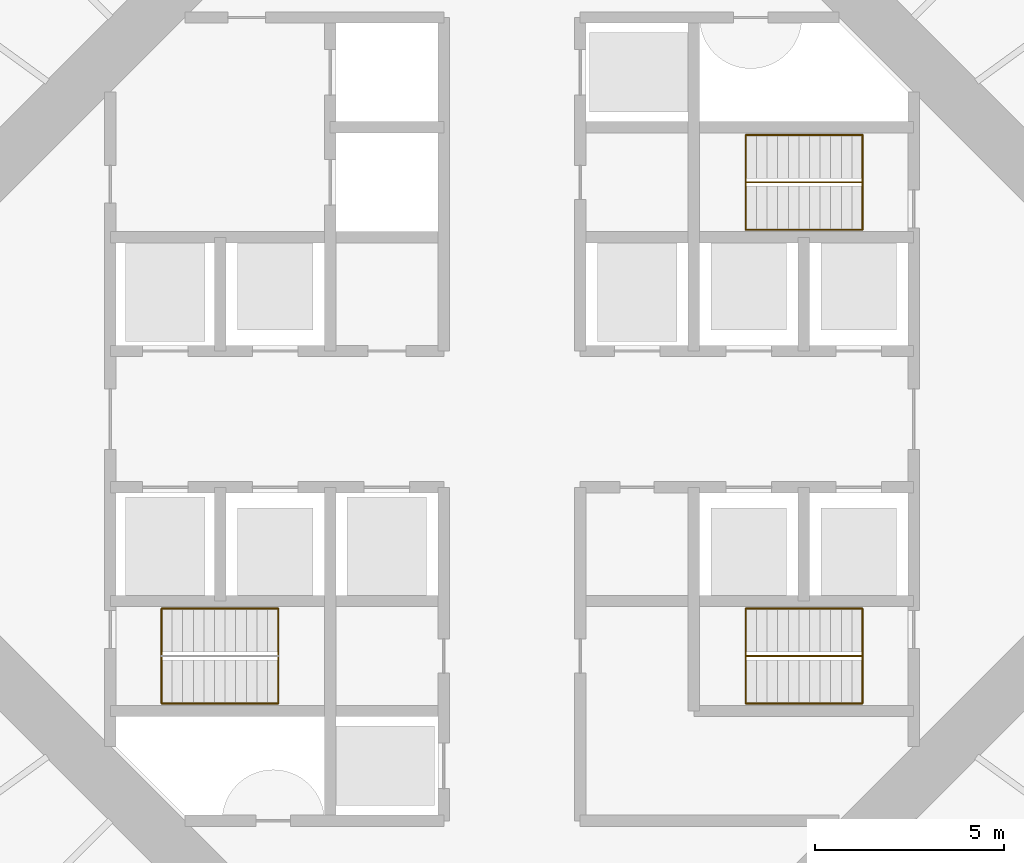
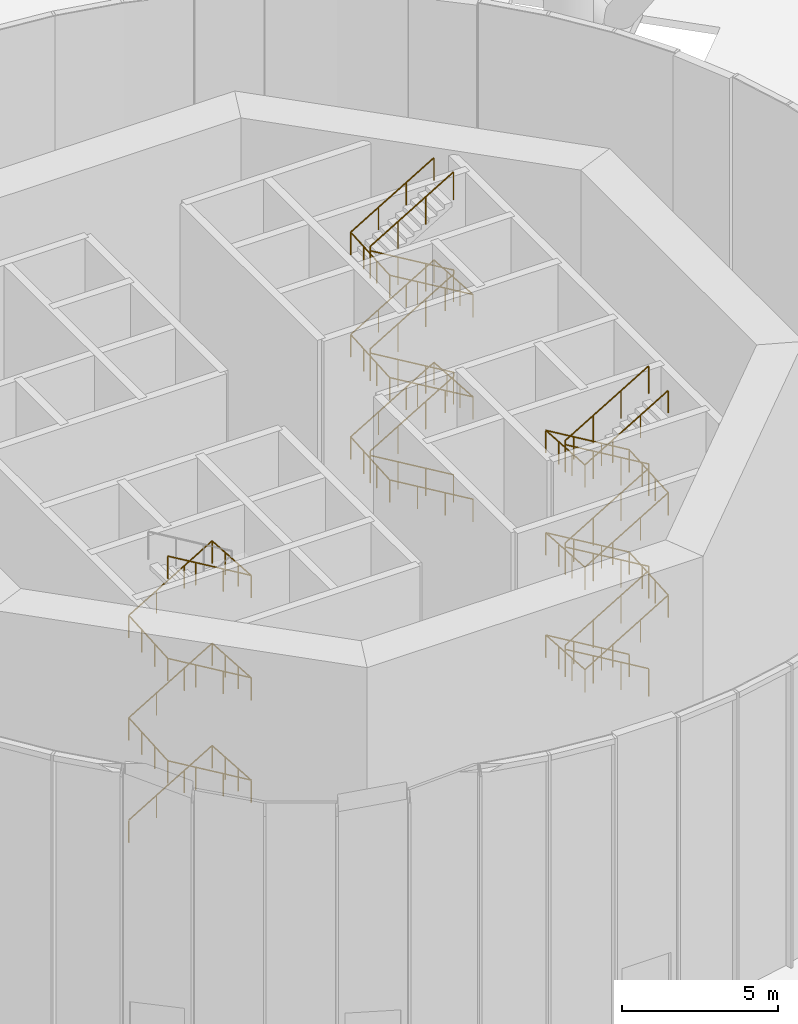
# One storey, part 11 of 12: 5 railings.
"""IFC4 building model written with IfcOpenShell, lengths in metres."""

from ifc_helpers import new_model, si_unit, direction, frame, origin, origin_2d, place, context, subcontext, project, spatial, circle, extrude, material, type_object, element, save


model = new_model("IFC4")

# Units and contexts
model_context = context("Model", 3, precision=1e-05, world=origin(), true_north=direction((0.0, 1.0)))
body_context = subcontext(model_context, "Body", "Model", "MODEL_VIEW")
ifc_project = project(units=[si_unit("LENGTHUNIT", "METRE"), si_unit("AREAUNIT", "SQUARE_METRE"), si_unit("VOLUMEUNIT", "CUBIC_METRE"), si_unit("PLANEANGLEUNIT", "RADIAN"), si_unit("MASSUNIT", "GRAM", prefix="KILO")], contexts=[model_context])

# Site, building, storey
site_placement = place(None, origin())
site = spatial("IfcSite", under=ifc_project, at=site_placement, CompositionType="ELEMENT")
building_placement = place(site_placement, origin())
building = spatial("IfcBuilding", under=site, at=building_placement, Name="Entoto Ring Tower", CompositionType="ELEMENT")
storey_placement = place(building_placement, origin())
storey = spatial("IfcBuildingStorey", under=building, at=storey_placement, Name="L00", CompositionType="ELEMENT", Elevation=0.0)

# Railings
ifc_material_1 = material(Name="Steel S275", Category="steel")
railing_type_1 = type_object("IfcRailingType", Name="Stair guard 1100 mm steel", PredefinedType="GUARDRAIL", material=ifc_material_1)
railing_1_placement = place(storey_placement, frame((99.25, 86.25, 0.166748046875)))
element("IfcRailing", 1, at=railing_1_placement, inside=storey, type_object=railing_type_1, Name="Guard ST1", PredefinedType="GUARDRAIL", context=body_context, shape_type="SweptSolid", body=[
    extrude(circle(Radius=0.02392578125, at=origin_2d()), frame((0.0, 0.0, 1.076171875), z_axis=(-0.859308565015, 0.0, 0.511457515432), x_axis=(0.0, -1.0, 0.0)), (0.0, 0.0, 1.0), 3.58447265625),
    extrude(circle(Radius=0.02392578125, at=origin_2d()), frame((-3.080078125, 0.0, 2.9091796875), z_axis=(0.0, 0.0, 1.0), x_axis=(1.0, 0.0, 0.0)), (0.0, 0.0, 1.0), 0.166748046875),
    extrude(circle(Radius=0.02392578125, at=origin_2d()), frame((-3.080078125, 0.0, 3.076171875), z_axis=(0.859308565015, 0.0, 0.511457515432), x_axis=(0.0, 1.0, 0.0)), (0.0, 0.0, 1.0), 3.58447265625),
    extrude(circle(Radius=0.02392578125, at=origin_2d()), frame((0.0, 0.0, 4.9091796875), z_axis=(0.0, 0.0, 1.0), x_axis=(1.0, 0.0, 0.0)), (0.0, 0.0, 1.0), 0.166748046875),
    extrude(circle(Radius=0.02392578125, at=origin_2d()), frame((0.0, 0.0, 5.076171875), z_axis=(-0.859308565015, 0.0, 0.511457515432), x_axis=(0.0, -1.0, 0.0)), (0.0, 0.0, 1.0), 3.58447265625),
    extrude(circle(Radius=0.02392578125, at=origin_2d()), frame((-3.080078125, 0.0, 6.9091796875), z_axis=(0.0, 0.0, 1.0), x_axis=(1.0, 0.0, 0.0)), (0.0, 0.0, 1.0), 0.166748046875),
    extrude(circle(Radius=0.02392578125, at=origin_2d()), frame((-3.080078125, 0.0, 7.076171875), z_axis=(0.859308565015, 0.0, 0.511457515432), x_axis=(0.0, 1.0, 0.0)), (0.0, 0.0, 1.0), 3.58447265625),
    extrude(circle(Radius=0.02392578125, at=origin_2d()), frame((0.0, 0.0, 8.9091796875), z_axis=(0.0, 0.0, 1.0), x_axis=(1.0, 0.0, 0.0)), (0.0, 0.0, 1.0), 0.166748046875),
    extrude(circle(Radius=0.02392578125, at=origin_2d()), frame((0.0, 0.0, 9.076171875), z_axis=(-0.859308565015, 0.0, 0.511457515432), x_axis=(0.0, -1.0, 0.0)), (0.0, 0.0, 1.0), 3.58447265625),
    extrude(circle(Radius=0.02392578125, at=origin_2d()), frame((-3.080078125, 0.0, 10.9091796875), z_axis=(0.0, 0.0, 1.0), x_axis=(1.0, 0.0, 0.0)), (0.0, 0.0, 1.0), 0.166748046875),
    extrude(circle(Radius=0.02392578125, at=origin_2d()), frame((-3.080078125, 0.0, 11.076171875), z_axis=(0.859308565015, 0.0, 0.511457515432), x_axis=(0.0, 1.0, 0.0)), (0.0, 0.0, 1.0), 3.58447265625),
    extrude(circle(Radius=0.02099609375, at=origin_2d()), origin(), (0.0, 0.0, 1.0), 1.052001953125),
    extrude(circle(Radius=0.02099609375, at=origin_2d()), frame((-1.026611328125, 0.0, 0.611083984375)), (0.0, 0.0, 1.0), 1.052001953125),
    extrude(circle(Radius=0.02099609375, at=origin_2d()), frame((-2.053466796875, 0.0, 1.22216796875)), (0.0, 0.0, 1.0), 1.052001953125),
    extrude(circle(Radius=0.02099609375, at=origin_2d()), frame((-3.080078125, 0.0, 1.833251953125)), (0.0, 0.0, 1.0), 1.052001953125),
    extrude(circle(Radius=0.02099609375, at=origin_2d()), frame((-3.080078125, 0.0, 2.0)), (0.0, 0.0, 1.0), 1.052001953125),
    extrude(circle(Radius=0.02099609375, at=origin_2d()), frame((-2.053466796875, 0.0, 2.611083984375)), (0.0, 0.0, 1.0), 1.052001953125),
    extrude(circle(Radius=0.02099609375, at=origin_2d()), frame((-1.026611328125, 0.0, 3.22216796875)), (0.0, 0.0, 1.0), 1.052001953125),
    extrude(circle(Radius=0.02099609375, at=origin_2d()), frame((0.0, 0.0, 3.833251953125)), (0.0, 0.0, 1.0), 1.052001953125),
    extrude(circle(Radius=0.02099609375, at=origin_2d()), frame((0.0, 0.0, 4.0)), (0.0, 0.0, 1.0), 1.052001953125),
    extrude(circle(Radius=0.02099609375, at=origin_2d()), frame((-1.026611328125, 0.0, 4.611083984375)), (0.0, 0.0, 1.0), 1.052001953125),
    extrude(circle(Radius=0.02099609375, at=origin_2d()), frame((-2.053466796875, 0.0, 5.22216796875)), (0.0, 0.0, 1.0), 1.052001953125),
    extrude(circle(Radius=0.02099609375, at=origin_2d()), frame((-3.080078125, 0.0, 5.833251953125)), (0.0, 0.0, 1.0), 1.052001953125),
    extrude(circle(Radius=0.02099609375, at=origin_2d()), frame((-3.080078125, 0.0, 6.0)), (0.0, 0.0, 1.0), 1.052001953125),
    extrude(circle(Radius=0.02099609375, at=origin_2d()), frame((-2.053466796875, 0.0, 6.611083984375)), (0.0, 0.0, 1.0), 1.052001953125),
    extrude(circle(Radius=0.02099609375, at=origin_2d()), frame((-1.026611328125, 0.0, 7.22216796875)), (0.0, 0.0, 1.0), 1.052001953125),
    extrude(circle(Radius=0.02099609375, at=origin_2d()), frame((0.0, 0.0, 7.833251953125)), (0.0, 0.0, 1.0), 1.052001953125),
    extrude(circle(Radius=0.02099609375, at=origin_2d()), frame((0.0, 0.0, 8.0)), (0.0, 0.0, 1.0), 1.052001953125),
    extrude(circle(Radius=0.02099609375, at=origin_2d()), frame((-1.026611328125, 0.0, 8.611083984375)), (0.0, 0.0, 1.0), 1.052001953125),
    extrude(circle(Radius=0.02099609375, at=origin_2d()), frame((-2.053466796875, 0.0, 9.22216796875)), (0.0, 0.0, 1.0), 1.052001953125),
    extrude(circle(Radius=0.02099609375, at=origin_2d()), frame((-3.080078125, 0.0, 9.833251953125)), (0.0, 0.0, 1.0), 1.052001953125),
    extrude(circle(Radius=0.02099609375, at=origin_2d()), frame((-3.080078125, 0.0, 10.0)), (0.0, 0.0, 1.0), 1.052001953125),
    extrude(circle(Radius=0.02099609375, at=origin_2d()), frame((-2.053466796875, 0.0, 10.611083984375)), (0.0, 0.0, 1.0), 1.052001953125),
    extrude(circle(Radius=0.02099609375, at=origin_2d()), frame((-1.026611328125, 0.0, 11.22216796875)), (0.0, 0.0, 1.0), 1.052001953125),
    extrude(circle(Radius=0.02099609375, at=origin_2d()), frame((0.0, 0.0, 11.833251953125)), (0.0, 0.0, 1.0), 1.052001953125),
])
railing_2_placement = place(storey_placement, frame((99.25, 73.75, 0.166748046875)))
element("IfcRailing", 2, at=railing_2_placement, inside=storey, type_object=railing_type_1, Name="Guard ST3", PredefinedType="GUARDRAIL", context=body_context, shape_type="SweptSolid", body=[
    extrude(circle(Radius=0.02392578125, at=origin_2d()), frame((0.0, 0.0, 1.076171875), z_axis=(-0.859308565015, 0.0, 0.511457515432), x_axis=(0.0, -1.0, 0.0)), (0.0, 0.0, 1.0), 3.58447265625),
    extrude(circle(Radius=0.02392578125, at=origin_2d()), frame((-3.080078125, 0.0, 2.9091796875), z_axis=(0.0, 0.0, 1.0), x_axis=(1.0, 0.0, 0.0)), (0.0, 0.0, 1.0), 0.166748046875),
    extrude(circle(Radius=0.02392578125, at=origin_2d()), frame((-3.080078125, 0.0, 3.076171875), z_axis=(0.859308565015, 0.0, 0.511457515432), x_axis=(0.0, 1.0, 0.0)), (0.0, 0.0, 1.0), 3.58447265625),
    extrude(circle(Radius=0.02392578125, at=origin_2d()), frame((0.0, 0.0, 4.9091796875), z_axis=(0.0, 0.0, 1.0), x_axis=(1.0, 0.0, 0.0)), (0.0, 0.0, 1.0), 0.166748046875),
    extrude(circle(Radius=0.02392578125, at=origin_2d()), frame((0.0, 0.0, 5.076171875), z_axis=(-0.859308565015, 0.0, 0.511457515432), x_axis=(0.0, -1.0, 0.0)), (0.0, 0.0, 1.0), 3.58447265625),
    extrude(circle(Radius=0.02392578125, at=origin_2d()), frame((-3.080078125, 0.0, 6.9091796875), z_axis=(0.0, 0.0, 1.0), x_axis=(1.0, 0.0, 0.0)), (0.0, 0.0, 1.0), 0.166748046875),
    extrude(circle(Radius=0.02392578125, at=origin_2d()), frame((-3.080078125, 0.0, 7.076171875), z_axis=(0.859308565015, 0.0, 0.511457515432), x_axis=(0.0, 1.0, 0.0)), (0.0, 0.0, 1.0), 3.58447265625),
    extrude(circle(Radius=0.02392578125, at=origin_2d()), frame((0.0, 0.0, 8.9091796875), z_axis=(0.0, 0.0, 1.0), x_axis=(1.0, 0.0, 0.0)), (0.0, 0.0, 1.0), 0.166748046875),
    extrude(circle(Radius=0.02392578125, at=origin_2d()), frame((0.0, 0.0, 9.076171875), z_axis=(-0.859308565015, 0.0, 0.511457515432), x_axis=(0.0, -1.0, 0.0)), (0.0, 0.0, 1.0), 3.58447265625),
    extrude(circle(Radius=0.02392578125, at=origin_2d()), frame((-3.080078125, 0.0, 10.9091796875), z_axis=(0.0, 0.0, 1.0), x_axis=(1.0, 0.0, 0.0)), (0.0, 0.0, 1.0), 0.166748046875),
    extrude(circle(Radius=0.02392578125, at=origin_2d()), frame((-3.080078125, 0.0, 11.076171875), z_axis=(0.859308565015, 0.0, 0.511457515432), x_axis=(0.0, 1.0, 0.0)), (0.0, 0.0, 1.0), 3.58447265625),
    extrude(circle(Radius=0.02099609375, at=origin_2d()), origin(), (0.0, 0.0, 1.0), 1.052001953125),
    extrude(circle(Radius=0.02099609375, at=origin_2d()), frame((-1.026611328125, 0.0, 0.611083984375)), (0.0, 0.0, 1.0), 1.052001953125),
    extrude(circle(Radius=0.02099609375, at=origin_2d()), frame((-2.053466796875, 0.0, 1.22216796875)), (0.0, 0.0, 1.0), 1.052001953125),
    extrude(circle(Radius=0.02099609375, at=origin_2d()), frame((-3.080078125, 0.0, 1.833251953125)), (0.0, 0.0, 1.0), 1.052001953125),
    extrude(circle(Radius=0.02099609375, at=origin_2d()), frame((-3.080078125, 0.0, 2.0)), (0.0, 0.0, 1.0), 1.052001953125),
    extrude(circle(Radius=0.02099609375, at=origin_2d()), frame((-2.053466796875, 0.0, 2.611083984375)), (0.0, 0.0, 1.0), 1.052001953125),
    extrude(circle(Radius=0.02099609375, at=origin_2d()), frame((-1.026611328125, 0.0, 3.22216796875)), (0.0, 0.0, 1.0), 1.052001953125),
    extrude(circle(Radius=0.02099609375, at=origin_2d()), frame((0.0, 0.0, 3.833251953125)), (0.0, 0.0, 1.0), 1.052001953125),
    extrude(circle(Radius=0.02099609375, at=origin_2d()), frame((0.0, 0.0, 4.0)), (0.0, 0.0, 1.0), 1.052001953125),
    extrude(circle(Radius=0.02099609375, at=origin_2d()), frame((-1.026611328125, 0.0, 4.611083984375)), (0.0, 0.0, 1.0), 1.052001953125),
    extrude(circle(Radius=0.02099609375, at=origin_2d()), frame((-2.053466796875, 0.0, 5.22216796875)), (0.0, 0.0, 1.0), 1.052001953125),
    extrude(circle(Radius=0.02099609375, at=origin_2d()), frame((-3.080078125, 0.0, 5.833251953125)), (0.0, 0.0, 1.0), 1.052001953125),
    extrude(circle(Radius=0.02099609375, at=origin_2d()), frame((-3.080078125, 0.0, 6.0)), (0.0, 0.0, 1.0), 1.052001953125),
    extrude(circle(Radius=0.02099609375, at=origin_2d()), frame((-2.053466796875, 0.0, 6.611083984375)), (0.0, 0.0, 1.0), 1.052001953125),
    extrude(circle(Radius=0.02099609375, at=origin_2d()), frame((-1.026611328125, 0.0, 7.22216796875)), (0.0, 0.0, 1.0), 1.052001953125),
    extrude(circle(Radius=0.02099609375, at=origin_2d()), frame((0.0, 0.0, 7.833251953125)), (0.0, 0.0, 1.0), 1.052001953125),
    extrude(circle(Radius=0.02099609375, at=origin_2d()), frame((0.0, 0.0, 8.0)), (0.0, 0.0, 1.0), 1.052001953125),
    extrude(circle(Radius=0.02099609375, at=origin_2d()), frame((-1.026611328125, 0.0, 8.611083984375)), (0.0, 0.0, 1.0), 1.052001953125),
    extrude(circle(Radius=0.02099609375, at=origin_2d()), frame((-2.053466796875, 0.0, 9.22216796875)), (0.0, 0.0, 1.0), 1.052001953125),
    extrude(circle(Radius=0.02099609375, at=origin_2d()), frame((-3.080078125, 0.0, 9.833251953125)), (0.0, 0.0, 1.0), 1.052001953125),
    extrude(circle(Radius=0.02099609375, at=origin_2d()), frame((-3.080078125, 0.0, 10.0)), (0.0, 0.0, 1.0), 1.052001953125),
    extrude(circle(Radius=0.02099609375, at=origin_2d()), frame((-2.053466796875, 0.0, 10.611083984375)), (0.0, 0.0, 1.0), 1.052001953125),
    extrude(circle(Radius=0.02099609375, at=origin_2d()), frame((-1.026611328125, 0.0, 11.22216796875)), (0.0, 0.0, 1.0), 1.052001953125),
    extrude(circle(Radius=0.02099609375, at=origin_2d()), frame((0.0, 0.0, 11.833251953125)), (0.0, 0.0, 1.0), 1.052001953125),
])
ifc_material_2 = material(Name="Steel S275", Category="steel")
railing_type_2 = type_object("IfcRailingType", Name="Stair handrail 900 mm steel", PredefinedType="HANDRAIL", material=ifc_material_2)
railing_3_placement = place(storey_placement, frame((99.25, 85.0, 0.166748046875)))
element("IfcRailing", 3, at=railing_3_placement, inside=storey, type_object=railing_type_2, Name="Handrail ST1", PredefinedType="HANDRAIL", context=body_context, shape_type="SweptSolid", body=[
    extrude(circle(Radius=0.02392578125, at=origin_2d()), frame((0.0, 0.0, 0.8759765625), z_axis=(-0.859308565015, 0.0, 0.511457515432), x_axis=(0.0, -1.0, 0.0)), (0.0, 0.0, 1.0), 3.58447265625),
    extrude(circle(Radius=0.02392578125, at=origin_2d()), frame((-3.080078125, 0.0, 2.708984375), z_axis=(0.0, 0.997783001586, 0.066551346688), x_axis=(-1.0, 0.0, 0.0)), (0.0, 0.0, 1.0), 2.505615234375),
    extrude(circle(Radius=0.02392578125, at=origin_2d()), frame((-3.080078125, 2.5, 2.8759765625), z_axis=(0.859308565015, 0.0, 0.511457515432), x_axis=(0.0, 1.0, 0.0)), (0.0, 0.0, 1.0), 3.58447265625),
    extrude(circle(Radius=0.02392578125, at=origin_2d()), frame((0.0, 2.5, 4.708984375), z_axis=(0.0, -0.997783001586, 0.066551346688), x_axis=(1.0, 0.0, 0.0)), (0.0, 0.0, 1.0), 2.505615234375),
    extrude(circle(Radius=0.02392578125, at=origin_2d()), frame((0.0, 0.0, 4.8759765625), z_axis=(-0.859308565015, 0.0, 0.511457515432), x_axis=(0.0, -1.0, 0.0)), (0.0, 0.0, 1.0), 3.58447265625),
    extrude(circle(Radius=0.02392578125, at=origin_2d()), frame((-3.080078125, 0.0, 6.708984375), z_axis=(0.0, 0.997783001586, 0.066551346688), x_axis=(-1.0, 0.0, 0.0)), (0.0, 0.0, 1.0), 2.505615234375),
    extrude(circle(Radius=0.02392578125, at=origin_2d()), frame((-3.080078125, 2.5, 6.8759765625), z_axis=(0.859308565015, 0.0, 0.511457515432), x_axis=(0.0, 1.0, 0.0)), (0.0, 0.0, 1.0), 3.58447265625),
    extrude(circle(Radius=0.02392578125, at=origin_2d()), frame((0.0, 2.5, 8.708984375), z_axis=(0.0, -0.997783001586, 0.066551346688), x_axis=(1.0, 0.0, 0.0)), (0.0, 0.0, 1.0), 2.505615234375),
    extrude(circle(Radius=0.02392578125, at=origin_2d()), frame((0.0, 0.0, 8.8759765625), z_axis=(-0.859308565015, 0.0, 0.511457515432), x_axis=(0.0, -1.0, 0.0)), (0.0, 0.0, 1.0), 3.58447265625),
    extrude(circle(Radius=0.02392578125, at=origin_2d()), frame((-3.080078125, 0.0, 10.708984375), z_axis=(0.0, 0.997783001586, 0.066551346688), x_axis=(-1.0, 0.0, 0.0)), (0.0, 0.0, 1.0), 2.505615234375),
    extrude(circle(Radius=0.02392578125, at=origin_2d()), frame((-3.080078125, 2.5, 10.8759765625), z_axis=(0.859308565015, 0.0, 0.511457515432), x_axis=(0.0, 1.0, 0.0)), (0.0, 0.0, 1.0), 3.58447265625),
    extrude(circle(Radius=0.02099609375, at=origin_2d()), origin(), (0.0, 0.0, 1.0), 0.851806640625),
    extrude(circle(Radius=0.02099609375, at=origin_2d()), frame((-1.026611328125, 0.0, 0.611083984375)), (0.0, 0.0, 1.0), 0.851806640625),
    extrude(circle(Radius=0.02099609375, at=origin_2d()), frame((-2.053466796875, 0.0, 1.22216796875)), (0.0, 0.0, 1.0), 0.851806640625),
    extrude(circle(Radius=0.02099609375, at=origin_2d()), frame((-3.080078125, 0.0, 1.833251953125)), (0.0, 0.0, 1.0), 0.851806640625),
    extrude(circle(Radius=0.02099609375, at=origin_2d()), frame((-3.080078125, 0.833251953125, 1.888916015625)), (0.0, 0.0, 1.0), 0.851806640625),
    extrude(circle(Radius=0.02099609375, at=origin_2d()), frame((-3.080078125, 1.666748046875, 1.9443359375)), (0.0, 0.0, 1.0), 0.851806640625),
    extrude(circle(Radius=0.02099609375, at=origin_2d()), frame((-3.080078125, 2.5, 2.0)), (0.0, 0.0, 1.0), 0.851806640625),
    extrude(circle(Radius=0.02099609375, at=origin_2d()), frame((-2.053466796875, 2.5, 2.611083984375)), (0.0, 0.0, 1.0), 0.851806640625),
    extrude(circle(Radius=0.02099609375, at=origin_2d()), frame((-1.026611328125, 2.5, 3.22216796875)), (0.0, 0.0, 1.0), 0.851806640625),
    extrude(circle(Radius=0.02099609375, at=origin_2d()), frame((0.0, 2.5, 3.833251953125)), (0.0, 0.0, 1.0), 0.851806640625),
    extrude(circle(Radius=0.02099609375, at=origin_2d()), frame((0.0, 1.666748046875, 3.888916015625)), (0.0, 0.0, 1.0), 0.851806640625),
    extrude(circle(Radius=0.02099609375, at=origin_2d()), frame((0.0, 0.833251953125, 3.9443359375)), (0.0, 0.0, 1.0), 0.851806640625),
    extrude(circle(Radius=0.02099609375, at=origin_2d()), frame((0.0, 0.0, 4.0)), (0.0, 0.0, 1.0), 0.851806640625),
    extrude(circle(Radius=0.02099609375, at=origin_2d()), frame((-1.026611328125, 0.0, 4.611083984375)), (0.0, 0.0, 1.0), 0.851806640625),
    extrude(circle(Radius=0.02099609375, at=origin_2d()), frame((-2.053466796875, 0.0, 5.22216796875)), (0.0, 0.0, 1.0), 0.851806640625),
    extrude(circle(Radius=0.02099609375, at=origin_2d()), frame((-3.080078125, 0.0, 5.833251953125)), (0.0, 0.0, 1.0), 0.851806640625),
    extrude(circle(Radius=0.02099609375, at=origin_2d()), frame((-3.080078125, 0.833251953125, 5.888916015625)), (0.0, 0.0, 1.0), 0.851806640625),
    extrude(circle(Radius=0.02099609375, at=origin_2d()), frame((-3.080078125, 1.666748046875, 5.9443359375)), (0.0, 0.0, 1.0), 0.851806640625),
    extrude(circle(Radius=0.02099609375, at=origin_2d()), frame((-3.080078125, 2.5, 6.0)), (0.0, 0.0, 1.0), 0.851806640625),
    extrude(circle(Radius=0.02099609375, at=origin_2d()), frame((-2.053466796875, 2.5, 6.611083984375)), (0.0, 0.0, 1.0), 0.851806640625),
    extrude(circle(Radius=0.02099609375, at=origin_2d()), frame((-1.026611328125, 2.5, 7.22216796875)), (0.0, 0.0, 1.0), 0.851806640625),
    extrude(circle(Radius=0.02099609375, at=origin_2d()), frame((0.0, 2.5, 7.833251953125)), (0.0, 0.0, 1.0), 0.851806640625),
    extrude(circle(Radius=0.02099609375, at=origin_2d()), frame((0.0, 1.666748046875, 7.888916015625)), (0.0, 0.0, 1.0), 0.851806640625),
    extrude(circle(Radius=0.02099609375, at=origin_2d()), frame((0.0, 0.833251953125, 7.9443359375)), (0.0, 0.0, 1.0), 0.851806640625),
    extrude(circle(Radius=0.02099609375, at=origin_2d()), frame((0.0, 0.0, 8.0)), (0.0, 0.0, 1.0), 0.851806640625),
    extrude(circle(Radius=0.02099609375, at=origin_2d()), frame((-1.026611328125, 0.0, 8.611083984375)), (0.0, 0.0, 1.0), 0.851806640625),
    extrude(circle(Radius=0.02099609375, at=origin_2d()), frame((-2.053466796875, 0.0, 9.22216796875)), (0.0, 0.0, 1.0), 0.851806640625),
    extrude(circle(Radius=0.02099609375, at=origin_2d()), frame((-3.080078125, 0.0, 9.833251953125)), (0.0, 0.0, 1.0), 0.851806640625),
    extrude(circle(Radius=0.02099609375, at=origin_2d()), frame((-3.080078125, 0.833251953125, 9.888916015625)), (0.0, 0.0, 1.0), 0.851806640625),
    extrude(circle(Radius=0.02099609375, at=origin_2d()), frame((-3.080078125, 1.666748046875, 9.9443359375)), (0.0, 0.0, 1.0), 0.851806640625),
    extrude(circle(Radius=0.02099609375, at=origin_2d()), frame((-3.080078125, 2.5, 10.0)), (0.0, 0.0, 1.0), 0.851806640625),
    extrude(circle(Radius=0.02099609375, at=origin_2d()), frame((-2.053466796875, 2.5, 10.611083984375)), (0.0, 0.0, 1.0), 0.851806640625),
    extrude(circle(Radius=0.02099609375, at=origin_2d()), frame((-1.026611328125, 2.5, 11.22216796875)), (0.0, 0.0, 1.0), 0.851806640625),
    extrude(circle(Radius=0.02099609375, at=origin_2d()), frame((0.0, 2.5, 11.833251953125)), (0.0, 0.0, 1.0), 0.851806640625),
])
railing_4_placement = place(storey_placement, frame((80.75, 75.0, 0.166748046875)))
element("IfcRailing", 4, at=railing_4_placement, inside=storey, type_object=railing_type_2, Name="Handrail ST2", PredefinedType="HANDRAIL", context=body_context, shape_type="SweptSolid", body=[
    extrude(circle(Radius=0.02392578125, at=origin_2d()), frame((0.0, 0.0, 0.8759765625), z_axis=(0.859308565015, 0.0, 0.511457515432), x_axis=(0.0, 1.0, 0.0)), (0.0, 0.0, 1.0), 3.58447265625),
    extrude(circle(Radius=0.02392578125, at=origin_2d()), frame((3.080078125, 0.0, 2.708984375), z_axis=(0.0, -0.997783001586, 0.066551346688), x_axis=(1.0, 0.0, 0.0)), (0.0, 0.0, 1.0), 2.505615234375),
    extrude(circle(Radius=0.02392578125, at=origin_2d()), frame((3.080078125, -2.5, 2.8759765625), z_axis=(-0.859308565015, 0.0, 0.511457515432), x_axis=(0.0, -1.0, 0.0)), (0.0, 0.0, 1.0), 3.58447265625),
    extrude(circle(Radius=0.02392578125, at=origin_2d()), frame((0.0, -2.5, 4.708984375), z_axis=(0.0, 0.997783001586, 0.066551346688), x_axis=(-1.0, 0.0, 0.0)), (0.0, 0.0, 1.0), 2.505615234375),
    extrude(circle(Radius=0.02392578125, at=origin_2d()), frame((0.0, 0.0, 4.8759765625), z_axis=(0.859308565015, 0.0, 0.511457515432), x_axis=(0.0, 1.0, 0.0)), (0.0, 0.0, 1.0), 3.58447265625),
    extrude(circle(Radius=0.02392578125, at=origin_2d()), frame((3.080078125, 0.0, 6.708984375), z_axis=(0.0, -0.997783001586, 0.066551346688), x_axis=(1.0, 0.0, 0.0)), (0.0, 0.0, 1.0), 2.505615234375),
    extrude(circle(Radius=0.02392578125, at=origin_2d()), frame((3.080078125, -2.5, 6.8759765625), z_axis=(-0.859308565015, 0.0, 0.511457515432), x_axis=(0.0, -1.0, 0.0)), (0.0, 0.0, 1.0), 3.58447265625),
    extrude(circle(Radius=0.02392578125, at=origin_2d()), frame((0.0, -2.5, 8.708984375), z_axis=(0.0, 0.997783001586, 0.066551346688), x_axis=(-1.0, 0.0, 0.0)), (0.0, 0.0, 1.0), 2.505615234375),
    extrude(circle(Radius=0.02392578125, at=origin_2d()), frame((0.0, 0.0, 8.8759765625), z_axis=(0.859308565015, 0.0, 0.511457515432), x_axis=(0.0, 1.0, 0.0)), (0.0, 0.0, 1.0), 3.58447265625),
    extrude(circle(Radius=0.02392578125, at=origin_2d()), frame((3.080078125, 0.0, 10.708984375), z_axis=(0.0, -0.997783001586, 0.066551346688), x_axis=(1.0, 0.0, 0.0)), (0.0, 0.0, 1.0), 2.505615234375),
    extrude(circle(Radius=0.02392578125, at=origin_2d()), frame((3.080078125, -2.5, 10.8759765625), z_axis=(-0.859308565015, 0.0, 0.511457515432), x_axis=(0.0, -1.0, 0.0)), (0.0, 0.0, 1.0), 3.58447265625),
    extrude(circle(Radius=0.02099609375, at=origin_2d()), origin(), (0.0, 0.0, 1.0), 0.851806640625),
    extrude(circle(Radius=0.02099609375, at=origin_2d()), frame((1.026611328125, 0.0, 0.611083984375)), (0.0, 0.0, 1.0), 0.851806640625),
    extrude(circle(Radius=0.02099609375, at=origin_2d()), frame((2.053466796875, 0.0, 1.22216796875)), (0.0, 0.0, 1.0), 0.851806640625),
    extrude(circle(Radius=0.02099609375, at=origin_2d()), frame((3.080078125, 0.0, 1.833251953125)), (0.0, 0.0, 1.0), 0.851806640625),
    extrude(circle(Radius=0.02099609375, at=origin_2d()), frame((3.080078125, -0.833251953125, 1.888916015625)), (0.0, 0.0, 1.0), 0.851806640625),
    extrude(circle(Radius=0.02099609375, at=origin_2d()), frame((3.080078125, -1.666748046875, 1.9443359375)), (0.0, 0.0, 1.0), 0.851806640625),
    extrude(circle(Radius=0.02099609375, at=origin_2d()), frame((3.080078125, -2.5, 2.0)), (0.0, 0.0, 1.0), 0.851806640625),
    extrude(circle(Radius=0.02099609375, at=origin_2d()), frame((2.053466796875, -2.5, 2.611083984375)), (0.0, 0.0, 1.0), 0.851806640625),
    extrude(circle(Radius=0.02099609375, at=origin_2d()), frame((1.026611328125, -2.5, 3.22216796875)), (0.0, 0.0, 1.0), 0.851806640625),
    extrude(circle(Radius=0.02099609375, at=origin_2d()), frame((0.0, -2.5, 3.833251953125)), (0.0, 0.0, 1.0), 0.851806640625),
    extrude(circle(Radius=0.02099609375, at=origin_2d()), frame((0.0, -1.666748046875, 3.888916015625)), (0.0, 0.0, 1.0), 0.851806640625),
    extrude(circle(Radius=0.02099609375, at=origin_2d()), frame((0.0, -0.833251953125, 3.9443359375)), (0.0, 0.0, 1.0), 0.851806640625),
    extrude(circle(Radius=0.02099609375, at=origin_2d()), frame((0.0, 0.0, 4.0)), (0.0, 0.0, 1.0), 0.851806640625),
    extrude(circle(Radius=0.02099609375, at=origin_2d()), frame((1.026611328125, 0.0, 4.611083984375)), (0.0, 0.0, 1.0), 0.851806640625),
    extrude(circle(Radius=0.02099609375, at=origin_2d()), frame((2.053466796875, 0.0, 5.22216796875)), (0.0, 0.0, 1.0), 0.851806640625),
    extrude(circle(Radius=0.02099609375, at=origin_2d()), frame((3.080078125, 0.0, 5.833251953125)), (0.0, 0.0, 1.0), 0.851806640625),
    extrude(circle(Radius=0.02099609375, at=origin_2d()), frame((3.080078125, -0.833251953125, 5.888916015625)), (0.0, 0.0, 1.0), 0.851806640625),
    extrude(circle(Radius=0.02099609375, at=origin_2d()), frame((3.080078125, -1.666748046875, 5.9443359375)), (0.0, 0.0, 1.0), 0.851806640625),
    extrude(circle(Radius=0.02099609375, at=origin_2d()), frame((3.080078125, -2.5, 6.0)), (0.0, 0.0, 1.0), 0.851806640625),
    extrude(circle(Radius=0.02099609375, at=origin_2d()), frame((2.053466796875, -2.5, 6.611083984375)), (0.0, 0.0, 1.0), 0.851806640625),
    extrude(circle(Radius=0.02099609375, at=origin_2d()), frame((1.026611328125, -2.5, 7.22216796875)), (0.0, 0.0, 1.0), 0.851806640625),
    extrude(circle(Radius=0.02099609375, at=origin_2d()), frame((0.0, -2.5, 7.833251953125)), (0.0, 0.0, 1.0), 0.851806640625),
    extrude(circle(Radius=0.02099609375, at=origin_2d()), frame((0.0, -1.666748046875, 7.888916015625)), (0.0, 0.0, 1.0), 0.851806640625),
    extrude(circle(Radius=0.02099609375, at=origin_2d()), frame((0.0, -0.833251953125, 7.9443359375)), (0.0, 0.0, 1.0), 0.851806640625),
    extrude(circle(Radius=0.02099609375, at=origin_2d()), frame((0.0, 0.0, 8.0)), (0.0, 0.0, 1.0), 0.851806640625),
    extrude(circle(Radius=0.02099609375, at=origin_2d()), frame((1.026611328125, 0.0, 8.611083984375)), (0.0, 0.0, 1.0), 0.851806640625),
    extrude(circle(Radius=0.02099609375, at=origin_2d()), frame((2.053466796875, 0.0, 9.22216796875)), (0.0, 0.0, 1.0), 0.851806640625),
    extrude(circle(Radius=0.02099609375, at=origin_2d()), frame((3.080078125, 0.0, 9.833251953125)), (0.0, 0.0, 1.0), 0.851806640625),
    extrude(circle(Radius=0.02099609375, at=origin_2d()), frame((3.080078125, -0.833251953125, 9.888916015625)), (0.0, 0.0, 1.0), 0.851806640625),
    extrude(circle(Radius=0.02099609375, at=origin_2d()), frame((3.080078125, -1.666748046875, 9.9443359375)), (0.0, 0.0, 1.0), 0.851806640625),
    extrude(circle(Radius=0.02099609375, at=origin_2d()), frame((3.080078125, -2.5, 10.0)), (0.0, 0.0, 1.0), 0.851806640625),
    extrude(circle(Radius=0.02099609375, at=origin_2d()), frame((2.053466796875, -2.5, 10.611083984375)), (0.0, 0.0, 1.0), 0.851806640625),
    extrude(circle(Radius=0.02099609375, at=origin_2d()), frame((1.026611328125, -2.5, 11.22216796875)), (0.0, 0.0, 1.0), 0.851806640625),
    extrude(circle(Radius=0.02099609375, at=origin_2d()), frame((0.0, -2.5, 11.833251953125)), (0.0, 0.0, 1.0), 0.851806640625),
])
railing_5_placement = place(storey_placement, frame((99.25, 75.0, 0.166748046875)))
element("IfcRailing", 5, at=railing_5_placement, inside=storey, type_object=railing_type_2, Name="Handrail ST3", PredefinedType="HANDRAIL", context=body_context, shape_type="SweptSolid", body=[
    extrude(circle(Radius=0.02392578125, at=origin_2d()), frame((0.0, 0.0, 0.8759765625), z_axis=(-0.859308565015, 0.0, 0.511457515432), x_axis=(0.0, -1.0, 0.0)), (0.0, 0.0, 1.0), 3.58447265625),
    extrude(circle(Radius=0.02392578125, at=origin_2d()), frame((-3.080078125, 0.0, 2.708984375), z_axis=(0.0, -0.997783001586, 0.066551346688), x_axis=(1.0, 0.0, 0.0)), (0.0, 0.0, 1.0), 2.505615234375),
    extrude(circle(Radius=0.02392578125, at=origin_2d()), frame((-3.080078125, -2.5, 2.8759765625), z_axis=(0.859308565015, 0.0, 0.511457515432), x_axis=(0.0, 1.0, 0.0)), (0.0, 0.0, 1.0), 3.58447265625),
    extrude(circle(Radius=0.02392578125, at=origin_2d()), frame((0.0, -2.5, 4.708984375), z_axis=(0.0, 0.997783001586, 0.066551346688), x_axis=(-1.0, 0.0, 0.0)), (0.0, 0.0, 1.0), 2.505615234375),
    extrude(circle(Radius=0.02392578125, at=origin_2d()), frame((0.0, 0.0, 4.8759765625), z_axis=(-0.859308565015, 0.0, 0.511457515432), x_axis=(0.0, -1.0, 0.0)), (0.0, 0.0, 1.0), 3.58447265625),
    extrude(circle(Radius=0.02392578125, at=origin_2d()), frame((-3.080078125, 0.0, 6.708984375), z_axis=(0.0, -0.997783001586, 0.066551346688), x_axis=(1.0, 0.0, 0.0)), (0.0, 0.0, 1.0), 2.505615234375),
    extrude(circle(Radius=0.02392578125, at=origin_2d()), frame((-3.080078125, -2.5, 6.8759765625), z_axis=(0.859308565015, 0.0, 0.511457515432), x_axis=(0.0, 1.0, 0.0)), (0.0, 0.0, 1.0), 3.58447265625),
    extrude(circle(Radius=0.02392578125, at=origin_2d()), frame((0.0, -2.5, 8.708984375), z_axis=(0.0, 0.997783001586, 0.066551346688), x_axis=(-1.0, 0.0, 0.0)), (0.0, 0.0, 1.0), 2.505615234375),
    extrude(circle(Radius=0.02392578125, at=origin_2d()), frame((0.0, 0.0, 8.8759765625), z_axis=(-0.859308565015, 0.0, 0.511457515432), x_axis=(0.0, -1.0, 0.0)), (0.0, 0.0, 1.0), 3.58447265625),
    extrude(circle(Radius=0.02392578125, at=origin_2d()), frame((-3.080078125, 0.0, 10.708984375), z_axis=(0.0, -0.997783001586, 0.066551346688), x_axis=(1.0, 0.0, 0.0)), (0.0, 0.0, 1.0), 2.505615234375),
    extrude(circle(Radius=0.02392578125, at=origin_2d()), frame((-3.080078125, -2.5, 10.8759765625), z_axis=(0.859308565015, 0.0, 0.511457515432), x_axis=(0.0, 1.0, 0.0)), (0.0, 0.0, 1.0), 3.58447265625),
    extrude(circle(Radius=0.02099609375, at=origin_2d()), origin(), (0.0, 0.0, 1.0), 0.851806640625),
    extrude(circle(Radius=0.02099609375, at=origin_2d()), frame((-1.026611328125, 0.0, 0.611083984375)), (0.0, 0.0, 1.0), 0.851806640625),
    extrude(circle(Radius=0.02099609375, at=origin_2d()), frame((-2.053466796875, 0.0, 1.22216796875)), (0.0, 0.0, 1.0), 0.851806640625),
    extrude(circle(Radius=0.02099609375, at=origin_2d()), frame((-3.080078125, 0.0, 1.833251953125)), (0.0, 0.0, 1.0), 0.851806640625),
    extrude(circle(Radius=0.02099609375, at=origin_2d()), frame((-3.080078125, -0.833251953125, 1.888916015625)), (0.0, 0.0, 1.0), 0.851806640625),
    extrude(circle(Radius=0.02099609375, at=origin_2d()), frame((-3.080078125, -1.666748046875, 1.9443359375)), (0.0, 0.0, 1.0), 0.851806640625),
    extrude(circle(Radius=0.02099609375, at=origin_2d()), frame((-3.080078125, -2.5, 2.0)), (0.0, 0.0, 1.0), 0.851806640625),
    extrude(circle(Radius=0.02099609375, at=origin_2d()), frame((-2.053466796875, -2.5, 2.611083984375)), (0.0, 0.0, 1.0), 0.851806640625),
    extrude(circle(Radius=0.02099609375, at=origin_2d()), frame((-1.026611328125, -2.5, 3.22216796875)), (0.0, 0.0, 1.0), 0.851806640625),
    extrude(circle(Radius=0.02099609375, at=origin_2d()), frame((0.0, -2.5, 3.833251953125)), (0.0, 0.0, 1.0), 0.851806640625),
    extrude(circle(Radius=0.02099609375, at=origin_2d()), frame((0.0, -1.666748046875, 3.888916015625)), (0.0, 0.0, 1.0), 0.851806640625),
    extrude(circle(Radius=0.02099609375, at=origin_2d()), frame((0.0, -0.833251953125, 3.9443359375)), (0.0, 0.0, 1.0), 0.851806640625),
    extrude(circle(Radius=0.02099609375, at=origin_2d()), frame((0.0, 0.0, 4.0)), (0.0, 0.0, 1.0), 0.851806640625),
    extrude(circle(Radius=0.02099609375, at=origin_2d()), frame((-1.026611328125, 0.0, 4.611083984375)), (0.0, 0.0, 1.0), 0.851806640625),
    extrude(circle(Radius=0.02099609375, at=origin_2d()), frame((-2.053466796875, 0.0, 5.22216796875)), (0.0, 0.0, 1.0), 0.851806640625),
    extrude(circle(Radius=0.02099609375, at=origin_2d()), frame((-3.080078125, 0.0, 5.833251953125)), (0.0, 0.0, 1.0), 0.851806640625),
    extrude(circle(Radius=0.02099609375, at=origin_2d()), frame((-3.080078125, -0.833251953125, 5.888916015625)), (0.0, 0.0, 1.0), 0.851806640625),
    extrude(circle(Radius=0.02099609375, at=origin_2d()), frame((-3.080078125, -1.666748046875, 5.9443359375)), (0.0, 0.0, 1.0), 0.851806640625),
    extrude(circle(Radius=0.02099609375, at=origin_2d()), frame((-3.080078125, -2.5, 6.0)), (0.0, 0.0, 1.0), 0.851806640625),
    extrude(circle(Radius=0.02099609375, at=origin_2d()), frame((-2.053466796875, -2.5, 6.611083984375)), (0.0, 0.0, 1.0), 0.851806640625),
    extrude(circle(Radius=0.02099609375, at=origin_2d()), frame((-1.026611328125, -2.5, 7.22216796875)), (0.0, 0.0, 1.0), 0.851806640625),
    extrude(circle(Radius=0.02099609375, at=origin_2d()), frame((0.0, -2.5, 7.833251953125)), (0.0, 0.0, 1.0), 0.851806640625),
    extrude(circle(Radius=0.02099609375, at=origin_2d()), frame((0.0, -1.666748046875, 7.888916015625)), (0.0, 0.0, 1.0), 0.851806640625),
    extrude(circle(Radius=0.02099609375, at=origin_2d()), frame((0.0, -0.833251953125, 7.9443359375)), (0.0, 0.0, 1.0), 0.851806640625),
    extrude(circle(Radius=0.02099609375, at=origin_2d()), frame((0.0, 0.0, 8.0)), (0.0, 0.0, 1.0), 0.851806640625),
    extrude(circle(Radius=0.02099609375, at=origin_2d()), frame((-1.026611328125, 0.0, 8.611083984375)), (0.0, 0.0, 1.0), 0.851806640625),
    extrude(circle(Radius=0.02099609375, at=origin_2d()), frame((-2.053466796875, 0.0, 9.22216796875)), (0.0, 0.0, 1.0), 0.851806640625),
    extrude(circle(Radius=0.02099609375, at=origin_2d()), frame((-3.080078125, 0.0, 9.833251953125)), (0.0, 0.0, 1.0), 0.851806640625),
    extrude(circle(Radius=0.02099609375, at=origin_2d()), frame((-3.080078125, -0.833251953125, 9.888916015625)), (0.0, 0.0, 1.0), 0.851806640625),
    extrude(circle(Radius=0.02099609375, at=origin_2d()), frame((-3.080078125, -1.666748046875, 9.9443359375)), (0.0, 0.0, 1.0), 0.851806640625),
    extrude(circle(Radius=0.02099609375, at=origin_2d()), frame((-3.080078125, -2.5, 10.0)), (0.0, 0.0, 1.0), 0.851806640625),
    extrude(circle(Radius=0.02099609375, at=origin_2d()), frame((-2.053466796875, -2.5, 10.611083984375)), (0.0, 0.0, 1.0), 0.851806640625),
    extrude(circle(Radius=0.02099609375, at=origin_2d()), frame((-1.026611328125, -2.5, 11.22216796875)), (0.0, 0.0, 1.0), 0.851806640625),
    extrude(circle(Radius=0.02099609375, at=origin_2d()), frame((0.0, -2.5, 11.833251953125)), (0.0, 0.0, 1.0), 0.851806640625),
])

save(model, "model.ifc")
